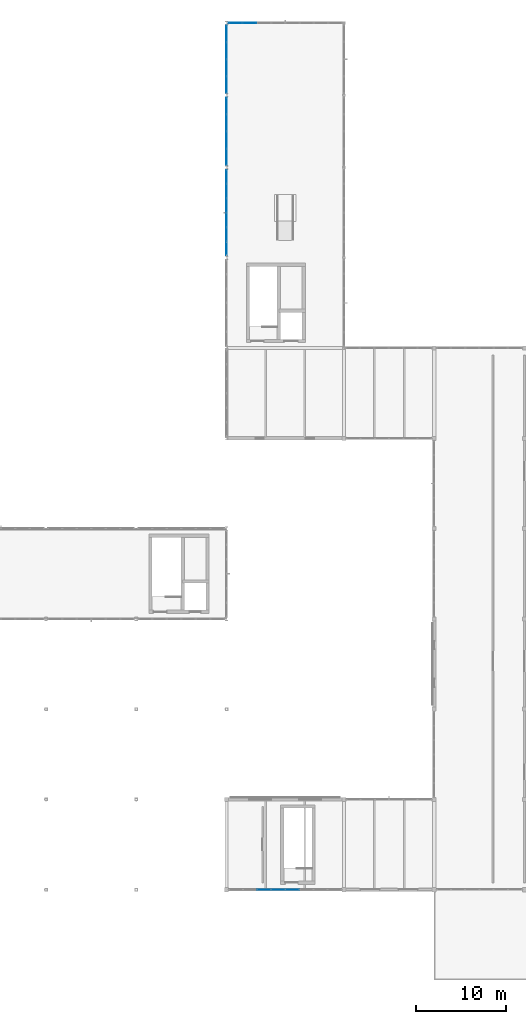
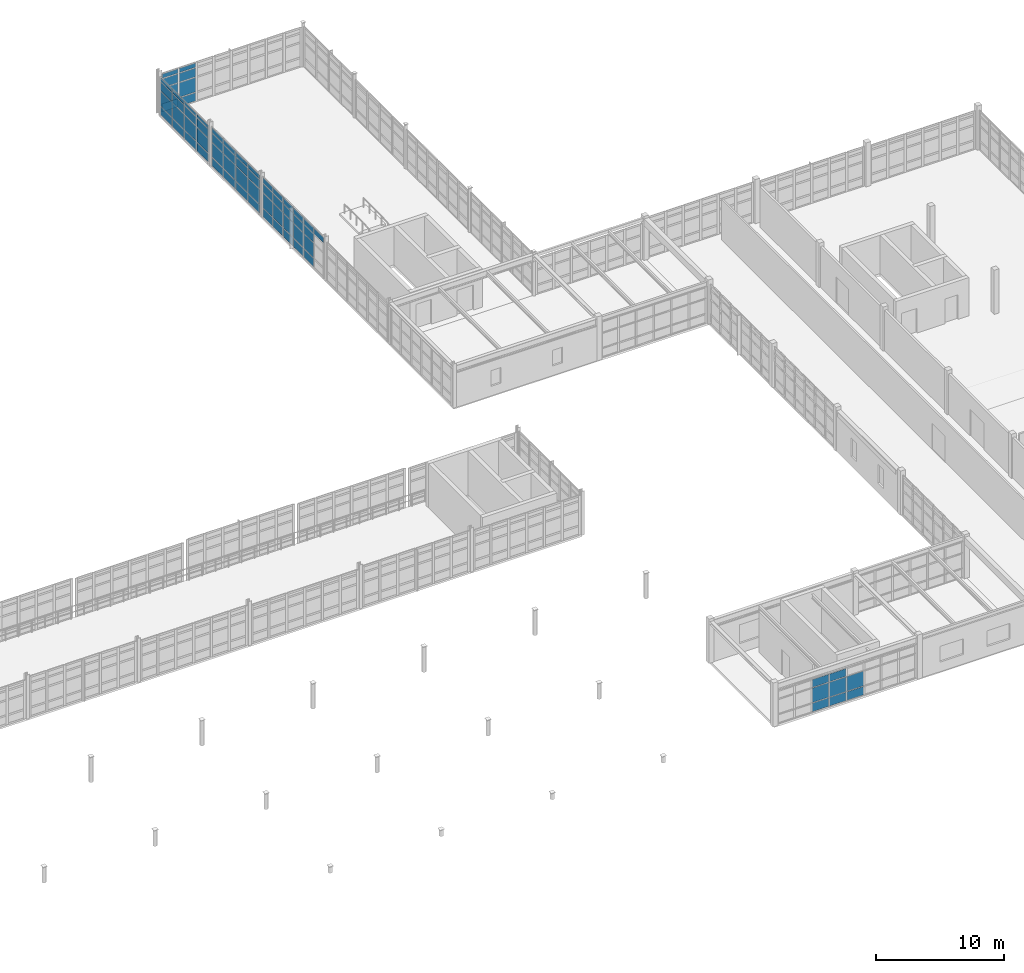
# One storey, part 88 of 122: 69 plates, 5 elements without a shape of their own.
"""IFC4 building model written with IfcOpenShell, lengths in metres."""

from ifc_helpers import new_model, si_unit, direction, frame, origin, origin_2d, place, context, subcontext, project, spatial, rectangle, extrude, material, layer, layer_set, type_object, element, aggregate, save


model = new_model("IFC4")

# Units and contexts
model_context = context("Model", 3, precision=1e-05, world=origin(), true_north=direction((0.0, 1.0)))
body_context = subcontext(model_context, "Body", "Model", "MODEL_VIEW")
ifc_project = project(units=[si_unit("LENGTHUNIT", "METRE"), si_unit("AREAUNIT", "SQUARE_METRE"), si_unit("VOLUMEUNIT", "CUBIC_METRE"), si_unit("PLANEANGLEUNIT", "RADIAN"), si_unit("MASSUNIT", "GRAM", prefix="KILO"), si_unit("THERMODYNAMICTEMPERATUREUNIT", "KELVIN"), si_unit("POWERUNIT", "WATT")], contexts=[model_context])

# Site, building, storey
site_placement = place(None, origin())
site = spatial("IfcSite", under=ifc_project, at=site_placement, CompositionType="ELEMENT")
building_placement = place(site_placement, origin())
building = spatial("IfcBuilding", under=site, at=building_placement, Name="Korenveer Ferry Terminal", CompositionType="ELEMENT")
storey_placement = place(building_placement, frame((0.0, 0.0, 10.199951171875)))
storey = spatial("IfcBuildingStorey", under=building, at=storey_placement, Name="L02", CompositionType="ELEMENT", Elevation=10.199951171875)

# Curtain wall, plates
ifc_material_1 = material(Name="Unitised bronze-and-glass curtain wall", Category="glass")
ifc_layer_1 = layer(ifc_material_1, 0.159912109375)
ifc_layer_set_1 = layer_set([ifc_layer_1], Name="Unitised bronze-and-glass curtain wall")
curtain_wall_type_1 = type_object("IfcCurtainWallType", Name="ENV-CW-85", PredefinedType="USERDEFINED", material=ifc_layer_set_1)
curtain_wall_1_placement = place(storey_placement, frame((123.2548828125, 20.0, 0.0)))
curtain_wall_1 = element("IfcCurtainWall", 1, at=curtain_wall_1_placement, inside=storey, type_object=curtain_wall_type_1, Name="Lancet curtain wall CWX-L02-X123-136-Y20-20", ObjectType="UNITISED CURTAIN WALL", PredefinedType="USERDEFINED")
ifc_material_2 = material(Name="Low-iron solar-control double glazing", Category="glass")
ifc_layer_2 = layer(ifc_material_2, 0.028076171875)
ifc_layer_set_2 = layer_set([ifc_layer_2], Name="Low-iron solar-control double glazing")
plate_type_1 = type_object("IfcPlateType", Name="ENV-CWP-GLZ28", PredefinedType="CURTAIN_PANEL", material=ifc_layer_set_2)
plate_1_placement = place(storey_placement, frame((127.158203125, 20.0, 0.06005859375), z_axis=(0.0, 0.0, 1.0), x_axis=(1.0, 0.0, 0.0)))
plate_1 = element("IfcPlate", 2, at=plate_1_placement, type_object=plate_type_1, Name="CW-85 panel 3.1", PredefinedType="CURTAIN_PANEL", context=body_context, shape_type="SweptSolid", body=[
    extrude(rectangle(XDim=1.501220703125, YDim=0.028076171875, at=origin_2d()), origin(), (0.0, 0.0, 1.0), 0.81005859375),
])
plate_2_placement = place(storey_placement, frame((127.158203125, 20.0, 0.93017578125), z_axis=(0.0, 0.0, 1.0), x_axis=(1.0, 0.0, 0.0)))
plate_2 = element("IfcPlate", 3, at=plate_2_placement, type_object=plate_type_1, Name="CW-85 panel 3.2", PredefinedType="CURTAIN_PANEL", context=body_context, shape_type="SweptSolid", body=[
    extrude(rectangle(XDim=1.501220703125, YDim=0.028076171875, at=origin_2d()), origin(), (0.0, 0.0, 1.0), 1.389892578125),
])
plate_3_placement = place(storey_placement, frame((127.158203125, 20.0, 2.3798828125), z_axis=(0.0, 0.0, 1.0), x_axis=(1.0, 0.0, 0.0)))
plate_3 = element("IfcPlate", 4, at=plate_3_placement, type_object=plate_type_1, Name="CW-85 panel 3.3", PredefinedType="CURTAIN_PANEL", context=body_context, shape_type="SweptSolid", body=[
    extrude(rectangle(XDim=1.501220703125, YDim=0.028076171875, at=origin_2d()), origin(), (0.0, 0.0, 1.0), 0.739990234375),
])
plate_4_placement = place(storey_placement, frame((128.719482421875, 20.0, 0.06005859375), z_axis=(0.0, 0.0, 1.0), x_axis=(1.0, 0.0, 0.0)))
plate_4 = element("IfcPlate", 5, at=plate_4_placement, type_object=plate_type_1, Name="CW-85 panel 4.1", PredefinedType="CURTAIN_PANEL", context=body_context, shape_type="SweptSolid", body=[
    extrude(rectangle(XDim=1.501220703125, YDim=0.028076171875, at=origin_2d()), origin(), (0.0, 0.0, 1.0), 0.81005859375),
])
plate_5_placement = place(storey_placement, frame((128.719482421875, 20.0, 0.93017578125), z_axis=(0.0, 0.0, 1.0), x_axis=(1.0, 0.0, 0.0)))
plate_5 = element("IfcPlate", 6, at=plate_5_placement, type_object=plate_type_1, Name="CW-85 panel 4.2", PredefinedType="CURTAIN_PANEL", context=body_context, shape_type="SweptSolid", body=[
    extrude(rectangle(XDim=1.501220703125, YDim=0.028076171875, at=origin_2d()), origin(), (0.0, 0.0, 1.0), 1.389892578125),
])
plate_6_placement = place(storey_placement, frame((128.719482421875, 20.0, 2.3798828125), z_axis=(0.0, 0.0, 1.0), x_axis=(1.0, 0.0, 0.0)))
plate_6 = element("IfcPlate", 7, at=plate_6_placement, type_object=plate_type_1, Name="CW-85 panel 4.3", PredefinedType="CURTAIN_PANEL", context=body_context, shape_type="SweptSolid", body=[
    extrude(rectangle(XDim=1.501220703125, YDim=0.028076171875, at=origin_2d()), origin(), (0.0, 0.0, 1.0), 0.739990234375),
])
plate_7_placement = place(storey_placement, frame((130.280517578125, 20.0, 0.06005859375), z_axis=(0.0, 0.0, 1.0), x_axis=(1.0, 0.0, 0.0)))
plate_7 = element("IfcPlate", 8, at=plate_7_placement, type_object=plate_type_1, Name="CW-85 panel 5.1", PredefinedType="CURTAIN_PANEL", context=body_context, shape_type="SweptSolid", body=[
    extrude(rectangle(XDim=1.501220703125, YDim=0.028076171875, at=origin_2d()), origin(), (0.0, 0.0, 1.0), 0.81005859375),
])
plate_8_placement = place(storey_placement, frame((130.280517578125, 20.0, 0.93017578125), z_axis=(0.0, 0.0, 1.0), x_axis=(1.0, 0.0, 0.0)))
plate_8 = element("IfcPlate", 9, at=plate_8_placement, type_object=plate_type_1, Name="CW-85 panel 5.2", PredefinedType="CURTAIN_PANEL", context=body_context, shape_type="SweptSolid", body=[
    extrude(rectangle(XDim=1.501220703125, YDim=0.028076171875, at=origin_2d()), origin(), (0.0, 0.0, 1.0), 1.389892578125),
])
aggregate(curtain_wall_1, [plate_1, plate_2, plate_3, plate_4, plate_5, plate_6, plate_7, plate_8])

ifc_layer_3 = layer(ifc_material_1, 0.219970703125)
ifc_layer_set_3 = layer_set([ifc_layer_3], Name="Unitised bronze-and-glass curtain wall")
curtain_wall_type_2 = type_object("IfcCurtainWallType", Name="ENV-CW-103", PredefinedType="USERDEFINED", material=ifc_layer_set_3)
curtain_wall_2_placement = place(storey_placement, frame((123.179931640625, 116.0, 0.0)))
curtain_wall_2 = element("IfcCurtainWall", 10, at=curtain_wall_2_placement, inside=storey, type_object=curtain_wall_type_2, Name="Lancet curtain wall CWX-L02-X123-136-Y116-116", ObjectType="UNITISED CURTAIN WALL", PredefinedType="USERDEFINED")
ifc_material_3 = material(Name="Acoustic laminated marine glazing", Category="glass")
ifc_layer_4 = layer(ifc_material_3, 0.035888671875)
ifc_layer_set_4 = layer_set([ifc_layer_4], Name="Acoustic laminated marine glazing")
plate_type_2 = type_object("IfcPlateType", Name="ENV-CWP-GLZ36", PredefinedType="CURTAIN_PANEL", material=ifc_layer_set_4)
plate_9_placement = place(storey_placement, frame((123.989501953125, 116.0, 0.074951171875), z_axis=(0.0, 0.0, 1.0), x_axis=(1.0, 0.0, 0.0)))
plate_9 = element("IfcPlate", 11, at=plate_9_placement, type_object=plate_type_2, Name="CW-103 panel 1.1", PredefinedType="CURTAIN_PANEL", context=body_context, shape_type="SweptSolid", body=[
    extrude(rectangle(XDim=1.46923828125, YDim=0.035888671875, at=origin_2d()), origin(), (0.0, 0.0, 1.0), 0.78759765625),
])
plate_10_placement = place(storey_placement, frame((123.989501953125, 116.0, 0.9375), z_axis=(0.0, 0.0, 1.0), x_axis=(1.0, 0.0, 0.0)))
plate_10 = element("IfcPlate", 12, at=plate_10_placement, type_object=plate_type_2, Name="CW-103 panel 1.2", PredefinedType="CURTAIN_PANEL", context=body_context, shape_type="SweptSolid", body=[
    extrude(rectangle(XDim=1.46923828125, YDim=0.035888671875, at=origin_2d()), origin(), (0.0, 0.0, 1.0), 1.375),
])
plate_11_placement = place(storey_placement, frame((123.989501953125, 116.0, 2.3876953125), z_axis=(0.0, 0.0, 1.0), x_axis=(1.0, 0.0, 0.0)))
plate_11 = element("IfcPlate", 13, at=plate_11_placement, type_object=plate_type_2, Name="CW-103 panel 1.3", PredefinedType="CURTAIN_PANEL", context=body_context, shape_type="SweptSolid", body=[
    extrude(rectangle(XDim=1.46923828125, YDim=0.035888671875, at=origin_2d()), origin(), (0.0, 0.0, 1.0), 0.824951171875),
])
plate_12_placement = place(storey_placement, frame((123.989501953125, 116.0, 3.28759765625), z_axis=(0.0, 0.0, 1.0), x_axis=(1.0, 0.0, 0.0)))
plate_12 = element("IfcPlate", 14, at=plate_12_placement, type_object=plate_type_2, Name="CW-103 panel 1.4", PredefinedType="CURTAIN_PANEL", context=body_context, shape_type="SweptSolid", body=[
    extrude(rectangle(XDim=1.46923828125, YDim=0.035888671875, at=origin_2d()), origin(), (0.0, 0.0, 1.0), 0.3974609375),
])
plate_13_placement = place(storey_placement, frame((125.552490234375, 116.0, 0.074951171875), z_axis=(0.0, 0.0, 1.0), x_axis=(1.0, 0.0, 0.0)))
plate_13 = element("IfcPlate", 15, at=plate_13_placement, type_object=plate_type_2, Name="CW-103 panel 2.1", PredefinedType="CURTAIN_PANEL", context=body_context, shape_type="SweptSolid", body=[
    extrude(rectangle(XDim=1.506591796875, YDim=0.035888671875, at=origin_2d()), origin(), (0.0, 0.0, 1.0), 0.78759765625),
])
plate_14_placement = place(storey_placement, frame((125.552490234375, 116.0, 0.9375), z_axis=(0.0, 0.0, 1.0), x_axis=(1.0, 0.0, 0.0)))
plate_14 = element("IfcPlate", 16, at=plate_14_placement, type_object=plate_type_2, Name="CW-103 panel 2.2", PredefinedType="CURTAIN_PANEL", context=body_context, shape_type="SweptSolid", body=[
    extrude(rectangle(XDim=1.506591796875, YDim=0.035888671875, at=origin_2d()), origin(), (0.0, 0.0, 1.0), 1.375),
])
plate_15_placement = place(storey_placement, frame((125.552490234375, 116.0, 2.3876953125), z_axis=(0.0, 0.0, 1.0), x_axis=(1.0, 0.0, 0.0)))
plate_15 = element("IfcPlate", 17, at=plate_15_placement, type_object=plate_type_2, Name="CW-103 panel 2.3", PredefinedType="CURTAIN_PANEL", context=body_context, shape_type="SweptSolid", body=[
    extrude(rectangle(XDim=1.506591796875, YDim=0.035888671875, at=origin_2d()), origin(), (0.0, 0.0, 1.0), 0.824951171875),
])
plate_16_placement = place(storey_placement, frame((125.552490234375, 116.0, 3.28759765625), z_axis=(0.0, 0.0, 1.0), x_axis=(1.0, 0.0, 0.0)))
plate_16 = element("IfcPlate", 18, at=plate_16_placement, type_object=plate_type_2, Name="CW-103 panel 2.4", PredefinedType="CURTAIN_PANEL", context=body_context, shape_type="SweptSolid", body=[
    extrude(rectangle(XDim=1.506591796875, YDim=0.035888671875, at=origin_2d()), origin(), (0.0, 0.0, 1.0), 0.3974609375),
])
aggregate(curtain_wall_2, [plate_9, plate_10, plate_11, plate_12, plate_13, plate_14, plate_15, plate_16])

ifc_layer_5 = layer(ifc_material_1, 0.219970703125)
ifc_layer_set_5 = layer_set([ifc_layer_5], Name="Unitised bronze-and-glass curtain wall")
curtain_wall_type_3 = type_object("IfcCurtainWallType", Name="ENV-CW-120", PredefinedType="USERDEFINED", material=ifc_layer_set_5)
curtain_wall_3_placement = place(storey_placement, frame((123.0, 90.2099609375, 0.0)))
curtain_wall_3 = element("IfcCurtainWall", 19, at=curtain_wall_3_placement, inside=storey, type_object=curtain_wall_type_3, Name="Lancet curtain wall CWX-L02-X123-123-Y90-100", ObjectType="UNITISED CURTAIN WALL", PredefinedType="USERDEFINED")
plate_17_placement = place(storey_placement, frame((123.0, 91.027099609375, 3.28759765625), z_axis=(0.0, 0.0, 1.0), x_axis=(0.0, 1.0, 0.0)))
plate_17 = element("IfcPlate", 20, at=plate_17_placement, type_object=plate_type_2, Name="CW-120 panel 1.4", PredefinedType="CURTAIN_PANEL", context=body_context, shape_type="SweptSolid", body=[
    extrude(rectangle(XDim=1.484130859375, YDim=0.035888671875, at=origin_2d()), origin(), (0.0, 0.0, 1.0), 0.49755859375),
])
plate_18_placement = place(storey_placement, frame((123.0, 92.60498046875, 0.074951171875), z_axis=(0.0, 0.0, 1.0), x_axis=(0.0, 1.0, 0.0)))
plate_18 = element("IfcPlate", 21, at=plate_18_placement, type_object=plate_type_2, Name="CW-120 panel 2.1", PredefinedType="CURTAIN_PANEL", context=body_context, shape_type="SweptSolid", body=[
    extrude(rectangle(XDim=1.521728515625, YDim=0.035888671875, at=origin_2d()), origin(), (0.0, 0.0, 1.0), 0.78759765625),
])
plate_19_placement = place(storey_placement, frame((123.0, 92.60498046875, 0.9375), z_axis=(0.0, 0.0, 1.0), x_axis=(0.0, 1.0, 0.0)))
plate_19 = element("IfcPlate", 22, at=plate_19_placement, type_object=plate_type_2, Name="CW-120 panel 2.2", PredefinedType="CURTAIN_PANEL", context=body_context, shape_type="SweptSolid", body=[
    extrude(rectangle(XDim=1.521728515625, YDim=0.035888671875, at=origin_2d()), origin(), (0.0, 0.0, 1.0), 1.375),
])
plate_20_placement = place(storey_placement, frame((123.0, 92.60498046875, 2.3876953125), z_axis=(0.0, 0.0, 1.0), x_axis=(0.0, 1.0, 0.0)))
plate_20 = element("IfcPlate", 23, at=plate_20_placement, type_object=plate_type_2, Name="CW-120 panel 2.3", PredefinedType="CURTAIN_PANEL", context=body_context, shape_type="SweptSolid", body=[
    extrude(rectangle(XDim=1.521728515625, YDim=0.035888671875, at=origin_2d()), origin(), (0.0, 0.0, 1.0), 0.824951171875),
])
plate_21_placement = place(storey_placement, frame((123.0, 92.60498046875, 3.28759765625), z_axis=(0.0, 0.0, 1.0), x_axis=(0.0, 1.0, 0.0)))
plate_21 = element("IfcPlate", 24, at=plate_21_placement, type_object=plate_type_2, Name="CW-120 panel 2.4", PredefinedType="CURTAIN_PANEL", context=body_context, shape_type="SweptSolid", body=[
    extrude(rectangle(XDim=1.521728515625, YDim=0.035888671875, at=origin_2d()), origin(), (0.0, 0.0, 1.0), 0.49755859375),
])
plate_22_placement = place(storey_placement, frame((123.0, 94.20166015625, 0.074951171875), z_axis=(0.0, 0.0, 1.0), x_axis=(0.0, 1.0, 0.0)))
plate_22 = element("IfcPlate", 25, at=plate_22_placement, type_object=plate_type_2, Name="CW-120 panel 3.1", PredefinedType="CURTAIN_PANEL", context=body_context, shape_type="SweptSolid", body=[
    extrude(rectangle(XDim=1.521728515625, YDim=0.035888671875, at=origin_2d()), origin(), (0.0, 0.0, 1.0), 0.78759765625),
])
plate_23_placement = place(storey_placement, frame((123.0, 94.20166015625, 0.9375), z_axis=(0.0, 0.0, 1.0), x_axis=(0.0, 1.0, 0.0)))
plate_23 = element("IfcPlate", 26, at=plate_23_placement, type_object=plate_type_2, Name="CW-120 panel 3.2", PredefinedType="CURTAIN_PANEL", context=body_context, shape_type="SweptSolid", body=[
    extrude(rectangle(XDim=1.521728515625, YDim=0.035888671875, at=origin_2d()), origin(), (0.0, 0.0, 1.0), 1.375),
])
plate_24_placement = place(storey_placement, frame((123.0, 94.20166015625, 2.3876953125), z_axis=(0.0, 0.0, 1.0), x_axis=(0.0, 1.0, 0.0)))
plate_24 = element("IfcPlate", 27, at=plate_24_placement, type_object=plate_type_2, Name="CW-120 panel 3.3", PredefinedType="CURTAIN_PANEL", context=body_context, shape_type="SweptSolid", body=[
    extrude(rectangle(XDim=1.521728515625, YDim=0.035888671875, at=origin_2d()), origin(), (0.0, 0.0, 1.0), 0.824951171875),
])
plate_25_placement = place(storey_placement, frame((123.0, 94.20166015625, 3.28759765625), z_axis=(0.0, 0.0, 1.0), x_axis=(0.0, 1.0, 0.0)))
plate_25 = element("IfcPlate", 28, at=plate_25_placement, type_object=plate_type_2, Name="CW-120 panel 3.4", PredefinedType="CURTAIN_PANEL", context=body_context, shape_type="SweptSolid", body=[
    extrude(rectangle(XDim=1.521728515625, YDim=0.035888671875, at=origin_2d()), origin(), (0.0, 0.0, 1.0), 0.49755859375),
])
plate_26_placement = place(storey_placement, frame((123.0, 95.79833984375, 0.074951171875), z_axis=(0.0, 0.0, 1.0), x_axis=(0.0, 1.0, 0.0)))
plate_26 = element("IfcPlate", 29, at=plate_26_placement, type_object=plate_type_2, Name="CW-120 panel 4.1", PredefinedType="CURTAIN_PANEL", context=body_context, shape_type="SweptSolid", body=[
    extrude(rectangle(XDim=1.521728515625, YDim=0.035888671875, at=origin_2d()), origin(), (0.0, 0.0, 1.0), 0.78759765625),
])
plate_27_placement = place(storey_placement, frame((123.0, 95.79833984375, 0.9375), z_axis=(0.0, 0.0, 1.0), x_axis=(0.0, 1.0, 0.0)))
plate_27 = element("IfcPlate", 30, at=plate_27_placement, type_object=plate_type_2, Name="CW-120 panel 4.2", PredefinedType="CURTAIN_PANEL", context=body_context, shape_type="SweptSolid", body=[
    extrude(rectangle(XDim=1.521728515625, YDim=0.035888671875, at=origin_2d()), origin(), (0.0, 0.0, 1.0), 1.375),
])
plate_28_placement = place(storey_placement, frame((123.0, 95.79833984375, 2.3876953125), z_axis=(0.0, 0.0, 1.0), x_axis=(0.0, 1.0, 0.0)))
plate_28 = element("IfcPlate", 31, at=plate_28_placement, type_object=plate_type_2, Name="CW-120 panel 4.3", PredefinedType="CURTAIN_PANEL", context=body_context, shape_type="SweptSolid", body=[
    extrude(rectangle(XDim=1.521728515625, YDim=0.035888671875, at=origin_2d()), origin(), (0.0, 0.0, 1.0), 0.824951171875),
])
plate_29_placement = place(storey_placement, frame((123.0, 95.79833984375, 3.28759765625), z_axis=(0.0, 0.0, 1.0), x_axis=(0.0, 1.0, 0.0)))
plate_29 = element("IfcPlate", 32, at=plate_29_placement, type_object=plate_type_2, Name="CW-120 panel 4.4", PredefinedType="CURTAIN_PANEL", context=body_context, shape_type="SweptSolid", body=[
    extrude(rectangle(XDim=1.521728515625, YDim=0.035888671875, at=origin_2d()), origin(), (0.0, 0.0, 1.0), 0.49755859375),
])
plate_30_placement = place(storey_placement, frame((123.0, 97.39501953125, 0.074951171875), z_axis=(0.0, 0.0, 1.0), x_axis=(0.0, 1.0, 0.0)))
plate_30 = element("IfcPlate", 33, at=plate_30_placement, type_object=plate_type_2, Name="CW-120 panel 5.1", PredefinedType="CURTAIN_PANEL", context=body_context, shape_type="SweptSolid", body=[
    extrude(rectangle(XDim=1.521728515625, YDim=0.035888671875, at=origin_2d()), origin(), (0.0, 0.0, 1.0), 0.78759765625),
])
plate_31_placement = place(storey_placement, frame((123.0, 97.39501953125, 0.9375), z_axis=(0.0, 0.0, 1.0), x_axis=(0.0, 1.0, 0.0)))
plate_31 = element("IfcPlate", 34, at=plate_31_placement, type_object=plate_type_2, Name="CW-120 panel 5.2", PredefinedType="CURTAIN_PANEL", context=body_context, shape_type="SweptSolid", body=[
    extrude(rectangle(XDim=1.521728515625, YDim=0.035888671875, at=origin_2d()), origin(), (0.0, 0.0, 1.0), 1.375),
])
plate_32_placement = place(storey_placement, frame((123.0, 97.39501953125, 2.3876953125), z_axis=(0.0, 0.0, 1.0), x_axis=(0.0, 1.0, 0.0)))
plate_32 = element("IfcPlate", 35, at=plate_32_placement, type_object=plate_type_2, Name="CW-120 panel 5.3", PredefinedType="CURTAIN_PANEL", context=body_context, shape_type="SweptSolid", body=[
    extrude(rectangle(XDim=1.521728515625, YDim=0.035888671875, at=origin_2d()), origin(), (0.0, 0.0, 1.0), 0.824951171875),
])
plate_33_placement = place(storey_placement, frame((123.0, 97.39501953125, 3.28759765625), z_axis=(0.0, 0.0, 1.0), x_axis=(0.0, 1.0, 0.0)))
plate_33 = element("IfcPlate", 36, at=plate_33_placement, type_object=plate_type_2, Name="CW-120 panel 5.4", PredefinedType="CURTAIN_PANEL", context=body_context, shape_type="SweptSolid", body=[
    extrude(rectangle(XDim=1.521728515625, YDim=0.035888671875, at=origin_2d()), origin(), (0.0, 0.0, 1.0), 0.49755859375),
])
plate_34_placement = place(storey_placement, frame((123.0, 98.972900390625, 0.074951171875), z_axis=(0.0, 0.0, 1.0), x_axis=(0.0, 1.0, 0.0)))
plate_34 = element("IfcPlate", 37, at=plate_34_placement, type_object=plate_type_2, Name="CW-120 panel 6.1", PredefinedType="CURTAIN_PANEL", context=body_context, shape_type="SweptSolid", body=[
    extrude(rectangle(XDim=1.484130859375, YDim=0.035888671875, at=origin_2d()), origin(), (0.0, 0.0, 1.0), 0.78759765625),
])
plate_35_placement = place(storey_placement, frame((123.0, 98.972900390625, 0.9375), z_axis=(0.0, 0.0, 1.0), x_axis=(0.0, 1.0, 0.0)))
plate_35 = element("IfcPlate", 38, at=plate_35_placement, type_object=plate_type_2, Name="CW-120 panel 6.2", PredefinedType="CURTAIN_PANEL", context=body_context, shape_type="SweptSolid", body=[
    extrude(rectangle(XDim=1.484130859375, YDim=0.035888671875, at=origin_2d()), origin(), (0.0, 0.0, 1.0), 1.375),
])
plate_36_placement = place(storey_placement, frame((123.0, 98.972900390625, 2.3876953125), z_axis=(0.0, 0.0, 1.0), x_axis=(0.0, 1.0, 0.0)))
plate_36 = element("IfcPlate", 39, at=plate_36_placement, type_object=plate_type_2, Name="CW-120 panel 6.3", PredefinedType="CURTAIN_PANEL", context=body_context, shape_type="SweptSolid", body=[
    extrude(rectangle(XDim=1.484130859375, YDim=0.035888671875, at=origin_2d()), origin(), (0.0, 0.0, 1.0), 0.824951171875),
])
plate_37_placement = place(storey_placement, frame((123.0, 98.972900390625, 3.28759765625), z_axis=(0.0, 0.0, 1.0), x_axis=(0.0, 1.0, 0.0)))
plate_37 = element("IfcPlate", 40, at=plate_37_placement, type_object=plate_type_2, Name="CW-120 panel 6.4", PredefinedType="CURTAIN_PANEL", context=body_context, shape_type="SweptSolid", body=[
    extrude(rectangle(XDim=1.484130859375, YDim=0.035888671875, at=origin_2d()), origin(), (0.0, 0.0, 1.0), 0.49755859375),
])
aggregate(curtain_wall_3, [plate_17, plate_18, plate_19, plate_20, plate_21, plate_22, plate_23, plate_24, plate_25, plate_26, plate_27, plate_28, plate_29, plate_30, plate_31, plate_32, plate_33, plate_34, plate_35, plate_36, plate_37])

ifc_layer_6 = layer(ifc_material_1, 0.219970703125)
ifc_layer_set_6 = layer_set([ifc_layer_6], Name="Unitised bronze-and-glass curtain wall")
curtain_wall_type_4 = type_object("IfcCurtainWallType", Name="ENV-CW-119", PredefinedType="USERDEFINED", material=ifc_layer_set_6)
curtain_wall_4_placement = place(storey_placement, frame((123.0, 100.2099609375, 0.0)))
curtain_wall_4 = element("IfcCurtainWall", 41, at=curtain_wall_4_placement, inside=storey, type_object=curtain_wall_type_4, Name="Lancet curtain wall CWX-L02-X123-123-Y100-108", ObjectType="UNITISED CURTAIN WALL", PredefinedType="USERDEFINED")
plate_38_placement = place(storey_placement, frame((123.0, 101.17626953125, 0.074951171875), z_axis=(0.0, 0.0, 1.0), x_axis=(0.0, 1.0, 0.0)))
plate_38 = element("IfcPlate", 42, at=plate_38_placement, type_object=plate_type_2, Name="CW-119 panel 1.1", PredefinedType="CURTAIN_PANEL", context=body_context, shape_type="SweptSolid", body=[
    extrude(rectangle(XDim=1.782470703125, YDim=0.035888671875, at=origin_2d()), origin(), (0.0, 0.0, 1.0), 0.78759765625),
])
plate_39_placement = place(storey_placement, frame((123.0, 101.17626953125, 0.9375), z_axis=(0.0, 0.0, 1.0), x_axis=(0.0, 1.0, 0.0)))
plate_39 = element("IfcPlate", 43, at=plate_39_placement, type_object=plate_type_2, Name="CW-119 panel 1.2", PredefinedType="CURTAIN_PANEL", context=body_context, shape_type="SweptSolid", body=[
    extrude(rectangle(XDim=1.782470703125, YDim=0.035888671875, at=origin_2d()), origin(), (0.0, 0.0, 1.0), 1.375),
])
plate_40_placement = place(storey_placement, frame((123.0, 101.17626953125, 2.3876953125), z_axis=(0.0, 0.0, 1.0), x_axis=(0.0, 1.0, 0.0)))
plate_40 = element("IfcPlate", 44, at=plate_40_placement, type_object=plate_type_2, Name="CW-119 panel 1.3", PredefinedType="CURTAIN_PANEL", context=body_context, shape_type="SweptSolid", body=[
    extrude(rectangle(XDim=1.782470703125, YDim=0.035888671875, at=origin_2d()), origin(), (0.0, 0.0, 1.0), 0.824951171875),
])
plate_41_placement = place(storey_placement, frame((123.0, 101.17626953125, 3.28759765625), z_axis=(0.0, 0.0, 1.0), x_axis=(0.0, 1.0, 0.0)))
plate_41 = element("IfcPlate", 45, at=plate_41_placement, type_object=plate_type_2, Name="CW-119 panel 1.4", PredefinedType="CURTAIN_PANEL", context=body_context, shape_type="SweptSolid", body=[
    extrude(rectangle(XDim=1.782470703125, YDim=0.035888671875, at=origin_2d()), origin(), (0.0, 0.0, 1.0), 0.3974609375),
])
plate_42_placement = place(storey_placement, frame((123.0, 103.052490234375, 0.074951171875), z_axis=(0.0, 0.0, 1.0), x_axis=(0.0, 1.0, 0.0)))
plate_42 = element("IfcPlate", 46, at=plate_42_placement, type_object=plate_type_2, Name="CW-119 panel 2.1", PredefinedType="CURTAIN_PANEL", context=body_context, shape_type="SweptSolid", body=[
    extrude(rectangle(XDim=1.820068359375, YDim=0.035888671875, at=origin_2d()), origin(), (0.0, 0.0, 1.0), 0.78759765625),
])
plate_43_placement = place(storey_placement, frame((123.0, 103.052490234375, 0.9375), z_axis=(0.0, 0.0, 1.0), x_axis=(0.0, 1.0, 0.0)))
plate_43 = element("IfcPlate", 47, at=plate_43_placement, type_object=plate_type_2, Name="CW-119 panel 2.2", PredefinedType="CURTAIN_PANEL", context=body_context, shape_type="SweptSolid", body=[
    extrude(rectangle(XDim=1.820068359375, YDim=0.035888671875, at=origin_2d()), origin(), (0.0, 0.0, 1.0), 1.375),
])
plate_44_placement = place(storey_placement, frame((123.0, 103.052490234375, 2.3876953125), z_axis=(0.0, 0.0, 1.0), x_axis=(0.0, 1.0, 0.0)))
plate_44 = element("IfcPlate", 48, at=plate_44_placement, type_object=plate_type_2, Name="CW-119 panel 2.3", PredefinedType="CURTAIN_PANEL", context=body_context, shape_type="SweptSolid", body=[
    extrude(rectangle(XDim=1.820068359375, YDim=0.035888671875, at=origin_2d()), origin(), (0.0, 0.0, 1.0), 0.824951171875),
])
plate_45_placement = place(storey_placement, frame((123.0, 103.052490234375, 3.28759765625), z_axis=(0.0, 0.0, 1.0), x_axis=(0.0, 1.0, 0.0)))
plate_45 = element("IfcPlate", 49, at=plate_45_placement, type_object=plate_type_2, Name="CW-119 panel 2.4", PredefinedType="CURTAIN_PANEL", context=body_context, shape_type="SweptSolid", body=[
    extrude(rectangle(XDim=1.820068359375, YDim=0.035888671875, at=origin_2d()), origin(), (0.0, 0.0, 1.0), 0.3974609375),
])
plate_46_placement = place(storey_placement, frame((123.0, 104.947509765625, 0.074951171875), z_axis=(0.0, 0.0, 1.0), x_axis=(0.0, 1.0, 0.0)))
plate_46 = element("IfcPlate", 50, at=plate_46_placement, type_object=plate_type_2, Name="CW-119 panel 3.1", PredefinedType="CURTAIN_PANEL", context=body_context, shape_type="SweptSolid", body=[
    extrude(rectangle(XDim=1.820068359375, YDim=0.035888671875, at=origin_2d()), origin(), (0.0, 0.0, 1.0), 0.78759765625),
])
plate_47_placement = place(storey_placement, frame((123.0, 104.947509765625, 0.9375), z_axis=(0.0, 0.0, 1.0), x_axis=(0.0, 1.0, 0.0)))
plate_47 = element("IfcPlate", 51, at=plate_47_placement, type_object=plate_type_2, Name="CW-119 panel 3.2", PredefinedType="CURTAIN_PANEL", context=body_context, shape_type="SweptSolid", body=[
    extrude(rectangle(XDim=1.820068359375, YDim=0.035888671875, at=origin_2d()), origin(), (0.0, 0.0, 1.0), 1.375),
])
plate_48_placement = place(storey_placement, frame((123.0, 104.947509765625, 2.3876953125), z_axis=(0.0, 0.0, 1.0), x_axis=(0.0, 1.0, 0.0)))
plate_48 = element("IfcPlate", 52, at=plate_48_placement, type_object=plate_type_2, Name="CW-119 panel 3.3", PredefinedType="CURTAIN_PANEL", context=body_context, shape_type="SweptSolid", body=[
    extrude(rectangle(XDim=1.820068359375, YDim=0.035888671875, at=origin_2d()), origin(), (0.0, 0.0, 1.0), 0.824951171875),
])
plate_49_placement = place(storey_placement, frame((123.0, 104.947509765625, 3.28759765625), z_axis=(0.0, 0.0, 1.0), x_axis=(0.0, 1.0, 0.0)))
plate_49 = element("IfcPlate", 53, at=plate_49_placement, type_object=plate_type_2, Name="CW-119 panel 3.4", PredefinedType="CURTAIN_PANEL", context=body_context, shape_type="SweptSolid", body=[
    extrude(rectangle(XDim=1.820068359375, YDim=0.035888671875, at=origin_2d()), origin(), (0.0, 0.0, 1.0), 0.3974609375),
])
plate_50_placement = place(storey_placement, frame((123.0, 106.82373046875, 0.074951171875), z_axis=(0.0, 0.0, 1.0), x_axis=(0.0, 1.0, 0.0)))
plate_50 = element("IfcPlate", 54, at=plate_50_placement, type_object=plate_type_2, Name="CW-119 panel 4.1", PredefinedType="CURTAIN_PANEL", context=body_context, shape_type="SweptSolid", body=[
    extrude(rectangle(XDim=1.782470703125, YDim=0.035888671875, at=origin_2d()), origin(), (0.0, 0.0, 1.0), 0.78759765625),
])
plate_51_placement = place(storey_placement, frame((123.0, 106.82373046875, 0.9375), z_axis=(0.0, 0.0, 1.0), x_axis=(0.0, 1.0, 0.0)))
plate_51 = element("IfcPlate", 55, at=plate_51_placement, type_object=plate_type_2, Name="CW-119 panel 4.2", PredefinedType="CURTAIN_PANEL", context=body_context, shape_type="SweptSolid", body=[
    extrude(rectangle(XDim=1.782470703125, YDim=0.035888671875, at=origin_2d()), origin(), (0.0, 0.0, 1.0), 1.375),
])
plate_52_placement = place(storey_placement, frame((123.0, 106.82373046875, 2.3876953125), z_axis=(0.0, 0.0, 1.0), x_axis=(0.0, 1.0, 0.0)))
plate_52 = element("IfcPlate", 56, at=plate_52_placement, type_object=plate_type_2, Name="CW-119 panel 4.3", PredefinedType="CURTAIN_PANEL", context=body_context, shape_type="SweptSolid", body=[
    extrude(rectangle(XDim=1.782470703125, YDim=0.035888671875, at=origin_2d()), origin(), (0.0, 0.0, 1.0), 0.824951171875),
])
plate_53_placement = place(storey_placement, frame((123.0, 106.82373046875, 3.28759765625), z_axis=(0.0, 0.0, 1.0), x_axis=(0.0, 1.0, 0.0)))
plate_53 = element("IfcPlate", 57, at=plate_53_placement, type_object=plate_type_2, Name="CW-119 panel 4.4", PredefinedType="CURTAIN_PANEL", context=body_context, shape_type="SweptSolid", body=[
    extrude(rectangle(XDim=1.782470703125, YDim=0.035888671875, at=origin_2d()), origin(), (0.0, 0.0, 1.0), 0.3974609375),
])
aggregate(curtain_wall_4, [plate_38, plate_39, plate_40, plate_41, plate_42, plate_43, plate_44, plate_45, plate_46, plate_47, plate_48, plate_49, plate_50, plate_51, plate_52, plate_53])

ifc_layer_7 = layer(ifc_material_1, 0.219970703125)
ifc_layer_set_7 = layer_set([ifc_layer_7], Name="Unitised bronze-and-glass curtain wall")
curtain_wall_type_5 = type_object("IfcCurtainWallType", Name="ENV-CW-122", PredefinedType="USERDEFINED", material=ifc_layer_set_7)
curtain_wall_5_placement = place(storey_placement, frame((123.0, 108.2099609375, 0.0)))
curtain_wall_5 = element("IfcCurtainWall", 58, at=curtain_wall_5_placement, inside=storey, type_object=curtain_wall_type_5, Name="Lancet curtain wall CWX-L02-X123-123-Y108-116", ObjectType="UNITISED CURTAIN WALL", PredefinedType="USERDEFINED")
plate_54_placement = place(storey_placement, frame((123.0, 109.17626953125, 0.074951171875), z_axis=(0.0, 0.0, 1.0), x_axis=(0.0, 1.0, 0.0)))
plate_54 = element("IfcPlate", 59, at=plate_54_placement, type_object=plate_type_2, Name="CW-122 panel 1.1", PredefinedType="CURTAIN_PANEL", context=body_context, shape_type="SweptSolid", body=[
    extrude(rectangle(XDim=1.782470703125, YDim=0.035888671875, at=origin_2d()), origin(), (0.0, 0.0, 1.0), 0.78759765625),
])
plate_55_placement = place(storey_placement, frame((123.0, 109.17626953125, 0.9375), z_axis=(0.0, 0.0, 1.0), x_axis=(0.0, 1.0, 0.0)))
plate_55 = element("IfcPlate", 60, at=plate_55_placement, type_object=plate_type_2, Name="CW-122 panel 1.2", PredefinedType="CURTAIN_PANEL", context=body_context, shape_type="SweptSolid", body=[
    extrude(rectangle(XDim=1.782470703125, YDim=0.035888671875, at=origin_2d()), origin(), (0.0, 0.0, 1.0), 1.375),
])
plate_56_placement = place(storey_placement, frame((123.0, 109.17626953125, 2.3876953125), z_axis=(0.0, 0.0, 1.0), x_axis=(0.0, 1.0, 0.0)))
plate_56 = element("IfcPlate", 61, at=plate_56_placement, type_object=plate_type_2, Name="CW-122 panel 1.3", PredefinedType="CURTAIN_PANEL", context=body_context, shape_type="SweptSolid", body=[
    extrude(rectangle(XDim=1.782470703125, YDim=0.035888671875, at=origin_2d()), origin(), (0.0, 0.0, 1.0), 0.824951171875),
])
plate_57_placement = place(storey_placement, frame((123.0, 109.17626953125, 3.28759765625), z_axis=(0.0, 0.0, 1.0), x_axis=(0.0, 1.0, 0.0)))
plate_57 = element("IfcPlate", 62, at=plate_57_placement, type_object=plate_type_2, Name="CW-122 panel 1.4", PredefinedType="CURTAIN_PANEL", context=body_context, shape_type="SweptSolid", body=[
    extrude(rectangle(XDim=1.782470703125, YDim=0.035888671875, at=origin_2d()), origin(), (0.0, 0.0, 1.0), 0.297607421875),
])
plate_58_placement = place(storey_placement, frame((123.0, 111.052490234375, 0.074951171875), z_axis=(0.0, 0.0, 1.0), x_axis=(0.0, 1.0, 0.0)))
plate_58 = element("IfcPlate", 63, at=plate_58_placement, type_object=plate_type_2, Name="CW-122 panel 2.1", PredefinedType="CURTAIN_PANEL", context=body_context, shape_type="SweptSolid", body=[
    extrude(rectangle(XDim=1.820068359375, YDim=0.035888671875, at=origin_2d()), origin(), (0.0, 0.0, 1.0), 0.78759765625),
])
plate_59_placement = place(storey_placement, frame((123.0, 111.052490234375, 0.9375), z_axis=(0.0, 0.0, 1.0), x_axis=(0.0, 1.0, 0.0)))
plate_59 = element("IfcPlate", 64, at=plate_59_placement, type_object=plate_type_2, Name="CW-122 panel 2.2", PredefinedType="CURTAIN_PANEL", context=body_context, shape_type="SweptSolid", body=[
    extrude(rectangle(XDim=1.820068359375, YDim=0.035888671875, at=origin_2d()), origin(), (0.0, 0.0, 1.0), 1.375),
])
plate_60_placement = place(storey_placement, frame((123.0, 111.052490234375, 2.3876953125), z_axis=(0.0, 0.0, 1.0), x_axis=(0.0, 1.0, 0.0)))
plate_60 = element("IfcPlate", 65, at=plate_60_placement, type_object=plate_type_2, Name="CW-122 panel 2.3", PredefinedType="CURTAIN_PANEL", context=body_context, shape_type="SweptSolid", body=[
    extrude(rectangle(XDim=1.820068359375, YDim=0.035888671875, at=origin_2d()), origin(), (0.0, 0.0, 1.0), 0.824951171875),
])
plate_61_placement = place(storey_placement, frame((123.0, 111.052490234375, 3.28759765625), z_axis=(0.0, 0.0, 1.0), x_axis=(0.0, 1.0, 0.0)))
plate_61 = element("IfcPlate", 66, at=plate_61_placement, type_object=plate_type_2, Name="CW-122 panel 2.4", PredefinedType="CURTAIN_PANEL", context=body_context, shape_type="SweptSolid", body=[
    extrude(rectangle(XDim=1.820068359375, YDim=0.035888671875, at=origin_2d()), origin(), (0.0, 0.0, 1.0), 0.297607421875),
])
plate_62_placement = place(storey_placement, frame((123.0, 112.947509765625, 0.074951171875), z_axis=(0.0, 0.0, 1.0), x_axis=(0.0, 1.0, 0.0)))
plate_62 = element("IfcPlate", 67, at=plate_62_placement, type_object=plate_type_2, Name="CW-122 panel 3.1", PredefinedType="CURTAIN_PANEL", context=body_context, shape_type="SweptSolid", body=[
    extrude(rectangle(XDim=1.820068359375, YDim=0.035888671875, at=origin_2d()), origin(), (0.0, 0.0, 1.0), 0.78759765625),
])
plate_63_placement = place(storey_placement, frame((123.0, 112.947509765625, 0.9375), z_axis=(0.0, 0.0, 1.0), x_axis=(0.0, 1.0, 0.0)))
plate_63 = element("IfcPlate", 68, at=plate_63_placement, type_object=plate_type_2, Name="CW-122 panel 3.2", PredefinedType="CURTAIN_PANEL", context=body_context, shape_type="SweptSolid", body=[
    extrude(rectangle(XDim=1.820068359375, YDim=0.035888671875, at=origin_2d()), origin(), (0.0, 0.0, 1.0), 1.375),
])
plate_64_placement = place(storey_placement, frame((123.0, 112.947509765625, 2.3876953125), z_axis=(0.0, 0.0, 1.0), x_axis=(0.0, 1.0, 0.0)))
plate_64 = element("IfcPlate", 69, at=plate_64_placement, type_object=plate_type_2, Name="CW-122 panel 3.3", PredefinedType="CURTAIN_PANEL", context=body_context, shape_type="SweptSolid", body=[
    extrude(rectangle(XDim=1.820068359375, YDim=0.035888671875, at=origin_2d()), origin(), (0.0, 0.0, 1.0), 0.824951171875),
])
plate_65_placement = place(storey_placement, frame((123.0, 112.947509765625, 3.28759765625), z_axis=(0.0, 0.0, 1.0), x_axis=(0.0, 1.0, 0.0)))
plate_65 = element("IfcPlate", 70, at=plate_65_placement, type_object=plate_type_2, Name="CW-122 panel 3.4", PredefinedType="CURTAIN_PANEL", context=body_context, shape_type="SweptSolid", body=[
    extrude(rectangle(XDim=1.820068359375, YDim=0.035888671875, at=origin_2d()), origin(), (0.0, 0.0, 1.0), 0.297607421875),
])
plate_66_placement = place(storey_placement, frame((123.0, 114.82373046875, 0.074951171875), z_axis=(0.0, 0.0, 1.0), x_axis=(0.0, 1.0, 0.0)))
plate_66 = element("IfcPlate", 71, at=plate_66_placement, type_object=plate_type_2, Name="CW-122 panel 4.1", PredefinedType="CURTAIN_PANEL", context=body_context, shape_type="SweptSolid", body=[
    extrude(rectangle(XDim=1.782470703125, YDim=0.035888671875, at=origin_2d()), origin(), (0.0, 0.0, 1.0), 0.78759765625),
])
plate_67_placement = place(storey_placement, frame((123.0, 114.82373046875, 0.9375), z_axis=(0.0, 0.0, 1.0), x_axis=(0.0, 1.0, 0.0)))
plate_67 = element("IfcPlate", 72, at=plate_67_placement, type_object=plate_type_2, Name="CW-122 panel 4.2", PredefinedType="CURTAIN_PANEL", context=body_context, shape_type="SweptSolid", body=[
    extrude(rectangle(XDim=1.782470703125, YDim=0.035888671875, at=origin_2d()), origin(), (0.0, 0.0, 1.0), 1.375),
])
plate_68_placement = place(storey_placement, frame((123.0, 114.82373046875, 2.3876953125), z_axis=(0.0, 0.0, 1.0), x_axis=(0.0, 1.0, 0.0)))
plate_68 = element("IfcPlate", 73, at=plate_68_placement, type_object=plate_type_2, Name="CW-122 panel 4.3", PredefinedType="CURTAIN_PANEL", context=body_context, shape_type="SweptSolid", body=[
    extrude(rectangle(XDim=1.782470703125, YDim=0.035888671875, at=origin_2d()), origin(), (0.0, 0.0, 1.0), 0.824951171875),
])
plate_69_placement = place(storey_placement, frame((123.0, 114.82373046875, 3.28759765625), z_axis=(0.0, 0.0, 1.0), x_axis=(0.0, 1.0, 0.0)))
plate_69 = element("IfcPlate", 74, at=plate_69_placement, type_object=plate_type_2, Name="CW-122 panel 4.4", PredefinedType="CURTAIN_PANEL", context=body_context, shape_type="SweptSolid", body=[
    extrude(rectangle(XDim=1.782470703125, YDim=0.035888671875, at=origin_2d()), origin(), (0.0, 0.0, 1.0), 0.297607421875),
])
aggregate(curtain_wall_5, [plate_54, plate_55, plate_56, plate_57, plate_58, plate_59, plate_60, plate_61, plate_62, plate_63, plate_64, plate_65, plate_66, plate_67, plate_68, plate_69])

save(model, "model.ifc")
